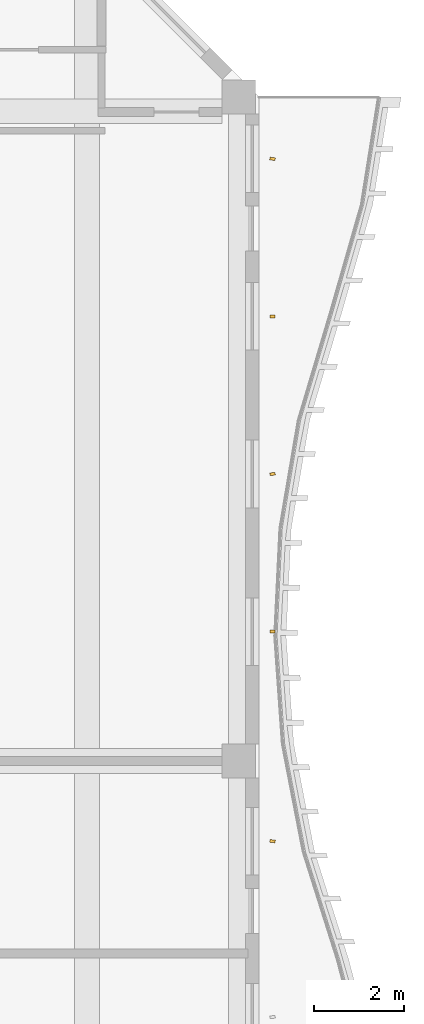
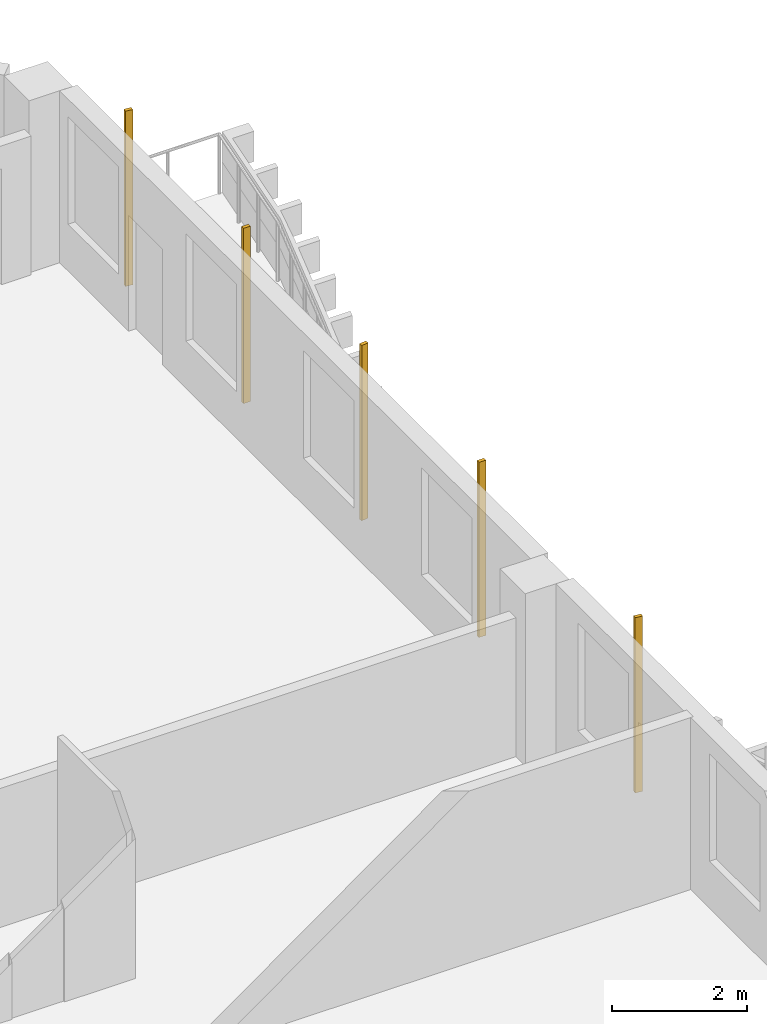
# One storey, part 22 of 22: 5 shading devices.
"""IFC4 building model written with IfcOpenShell, lengths in metres."""

import ifcopenshell
import ifcopenshell.guid

model = None  # the IFC model being written
_history = None  # IfcOwnerHistory: only IFC2X3 demands one
_inside = {}  # id of a spatial element -> (the spatial element, [elements in it])
_under = {}  # id of a project, library or spatial element -> (it, [spatial elements below it])
_declared = {}  # id of a project -> (the project, [libraries it declares])
_typed = {}  # id of a type object -> (the type object, [elements of that type])
_made_of = {}  # id of a material, layer set ... -> (it, [elements and type objects made of it])


def new_model(schema):
    """Start an empty IFC model of exactly this schema.

    Asked for "IFC4X3", IfcOpenShell would pick the latest addendum, in which some entities
    have other attributes; the version numbers below select the first issue.
    IFC2X3 requires an IfcOwnerHistory on every rooted entity: one is made here for all.
    """
    global model, _history
    if schema == "IFC4X3":
        model = ifcopenshell.file(schema_version=(4, 3, 0, 0))
    else:
        model = ifcopenshell.file(schema=schema)
    _inside.clear()
    _under.clear()
    _declared.clear()
    _typed.clear()
    _made_of.clear()
    _history = None
    if model.schema == "IFC2X3":
        org = make("IfcOrganization", Name="unknown")
        user = make(
            "IfcPersonAndOrganization",
            ThePerson=make("IfcPerson", FamilyName="unknown"),
            TheOrganization=org,
        )
        app = make(
            "IfcApplication",
            ApplicationDeveloper=org,
            Version="unknown",
            ApplicationFullName="unknown",
            ApplicationIdentifier="unknown",
        )
        _history = make(
            "IfcOwnerHistory",
            OwningUser=user,
            OwningApplication=app,
            ChangeAction="ADDED",
            CreationDate=0,
        )
    return model


def make(cls, **values):
    """One entity of the class cls with the attributes given. An attribute that is None is left unset."""
    return model.create_entity(
        cls, **{name: value for name, value in values.items() if value is not None}
    )


def rooted(cls, **values):
    """An entity with a GlobalId (a new one), such as an element, a storey or a relation."""
    return make(cls, GlobalId=ifcopenshell.guid.new(), OwnerHistory=_history, **values)


def si_unit(unit_type, name, prefix=None):
    """IfcSIUnit, for example si_unit("LENGTHUNIT", "METRE", prefix="MILLI")."""
    return make("IfcSIUnit", UnitType=unit_type, Prefix=prefix, Name=name)


def assignment(units):
    """IfcUnitAssignment: the units of a project."""
    return None if units is None else make("IfcUnitAssignment", Units=units)


def point(xyz):
    """IfcCartesianPoint."""
    return None if xyz is None else make("IfcCartesianPoint", Coordinates=xyz)


def direction(xyz):
    """IfcDirection."""
    return None if xyz is None else make("IfcDirection", DirectionRatios=xyz)


def frame(location, z_axis=None, x_axis=None):
    """IfcAxis2Placement3D, a coordinate frame: its origin and axes. An axis left out is left unset."""
    return make(
        "IfcAxis2Placement3D",
        Location=point(location),
        Axis=direction(z_axis),
        RefDirection=direction(x_axis),
    )


def frame_2d(location, x_axis=None):
    """IfcAxis2Placement2D, a coordinate frame in the plane: its origin and x axis."""
    return make(
        "IfcAxis2Placement2D", Location=point(location), RefDirection=direction(x_axis)
    )


def origin():
    """The frame at (0, 0, 0) with its axes left unset."""
    return frame((0.0, 0.0, 0.0))


def origin_2d():
    """The frame at (0, 0) in the plane with its x axis left unset."""
    return frame_2d((0.0, 0.0))


def place(relative_to, where):
    """IfcLocalPlacement: puts the frame where relative to a parent placement (None: the world)."""
    return make(
        "IfcLocalPlacement", PlacementRelTo=relative_to, RelativePlacement=where
    )


def context(
    kind, dimensions, precision=None, world=None, true_north=None, identifier=None
):
    """IfcGeometricRepresentationContext, for example the 3D "Model" context."""
    return make(
        "IfcGeometricRepresentationContext",
        ContextIdentifier=identifier,
        ContextType=kind,
        CoordinateSpaceDimension=dimensions,
        Precision=precision,
        WorldCoordinateSystem=world,
        TrueNorth=true_north,
    )


def subcontext(parent, identifier, kind, view, scale=None):
    """IfcGeometricRepresentationSubContext, for example "Body" below "Model"."""
    return make(
        "IfcGeometricRepresentationSubContext",
        ContextIdentifier=identifier,
        ContextType=kind,
        ParentContext=parent,
        TargetScale=scale,
        TargetView=view,
    )


def project(units=None, contexts=None):
    """IfcProject with its units and contexts."""
    return rooted(
        "IfcProject",
        Name="project",
        RepresentationContexts=contexts,
        UnitsInContext=assignment(units),
    )


def spatial(cls, under=None, at=None, **own):
    """A site, building, storey or space (cls), placed at a placement, below another one or the project."""
    s = rooted(cls, ObjectPlacement=at, **own)
    if under is not None:
        _under.setdefault(under.id(), (under, []))[1].append(s)
    return s


def profile(cls, at=None, kind="AREA", **sizes):
    """A parametric profile (cls). Its sizes go by their IFC names, for example OverallWidth=200.0."""
    return make(cls, ProfileType=kind, Position=at, **sizes)


def rectangle(**sizes):
    """IfcRectangleProfileDef."""
    return profile("IfcRectangleProfileDef", **sizes)


def extrude(swept, where, along, depth):
    """IfcExtrudedAreaSolid: the profile swept, set in the frame where, extruded along a direction by depth."""
    return make(
        "IfcExtrudedAreaSolid",
        SweptArea=swept,
        Position=where,
        ExtrudedDirection=direction(along),
        Depth=depth,
    )


def shape(context_of_items, identifier, shape_type, items):
    """IfcShapeRepresentation: the items that make up one representation, for example the "Body"."""
    return make(
        "IfcShapeRepresentation",
        ContextOfItems=context_of_items,
        RepresentationIdentifier=identifier,
        RepresentationType=shape_type,
        Items=items,
    )


def source(mapping_origin, context_of_items, identifier, shape_type, items):
    """IfcRepresentationMap: a shape defined once, which mapped items show again and again."""
    return make(
        "IfcRepresentationMap",
        MappingOrigin=mapping_origin,
        MappedRepresentation=shape(context_of_items, identifier, shape_type, items),
    )


def transform(
    local_origin,
    x_axis=None,
    y_axis=None,
    z_axis=None,
    scale=None,
    scale2=None,
    scale3=None,
    uniform=True,
):
    """IfcCartesianTransformationOperator3D, or its non-uniform kind. x_axis, y_axis, z_axis: its Axis1, 2, 3."""
    if uniform:
        return make(
            "IfcCartesianTransformationOperator3D",
            Axis1=direction(x_axis),
            Axis2=direction(y_axis),
            LocalOrigin=point(local_origin),
            Scale=scale,
            Axis3=direction(z_axis),
        )
    return make(
        "IfcCartesianTransformationOperator3DnonUniform",
        Axis1=direction(x_axis),
        Axis2=direction(y_axis),
        LocalOrigin=point(local_origin),
        Scale=scale,
        Axis3=direction(z_axis),
        Scale2=scale2,
        Scale3=scale3,
    )


def mapped(mapping_source, mapping_target):
    """IfcMappedItem: shows the shape of a source again, moved by a transform."""
    return make(
        "IfcMappedItem", MappingSource=mapping_source, MappingTarget=mapping_target
    )


def material(Name=None, Category=None):
    """IfcMaterial."""
    return make("IfcMaterial", Name=Name, Category=Category)


def material_profile(
    of_material, cross_section, Name=None, Category=None, Priority=None
):
    """IfcMaterialProfile: a cross section and its material."""
    return make(
        "IfcMaterialProfile",
        Name=Name,
        Material=of_material,
        Profile=cross_section,
        Priority=Priority,
        Category=Category,
    )


def profile_set(profiles, Name=None, composite=None):
    """IfcMaterialProfileSet."""
    return make(
        "IfcMaterialProfileSet",
        Name=Name,
        MaterialProfiles=profiles,
        CompositeProfile=composite,
    )


def made_of(thing, what):
    """Note that an element or type object is made of a material, layer set ...; save() writes the relation."""
    if what is not None:
        _made_of.setdefault(what.id(), (what, []))[1].append(thing)
    return thing


def type_object(cls, material=None, **own):
    """A type object (cls), such as IfcWallType, which elements share."""
    return made_of(rooted(cls, **own), material)


def element(
    cls,
    number,
    at=None,
    inside=None,
    cuts=None,
    type_object=None,
    material=None,
    context=None,
    identifier="Body",
    shape_type=None,
    held_by="IfcProductDefinitionShape",
    body=None,
    shapes=None,
    **own,
):
    """One element of the class cls, such as IfcWall. Its Tag is "e" and its number.

    at: its placement. inside: the storey or other place that contains it. cuts: it is an
    opening in that element (IfcRelVoidsElement). A single representation is given by context,
    identifier, shape_type and body (its items); several are given by shapes. held_by: the class
    of the entity that holds the representations. save() writes the other relations.
    """
    e = rooted(cls, Tag="e%d" % number, ObjectPlacement=at, **own)
    if body is not None:
        shapes = [shape(context, identifier, shape_type, body)]
    if shapes is not None:
        e.Representation = make(held_by, Representations=shapes)
    if inside is not None:
        _inside.setdefault(inside.id(), (inside, []))[1].append(e)
    if cuts is not None:
        rooted(
            "IfcRelVoidsElement", RelatingBuildingElement=cuts, RelatedOpeningElement=e
        )
    if type_object is not None:
        _typed.setdefault(type_object.id(), (type_object, []))[1].append(e)
    return made_of(e, material)


def aggregate(whole, parts):
    """IfcRelAggregates: a whole, such as a stair, and the parts it consists of."""
    return rooted("IfcRelAggregates", RelatingObject=whole, RelatedObjects=parts)


def save(model, path):
    """Write the relations noted so far, then the file.

    IfcRelAggregates (storeys below a building ...), IfcRelContainedInSpatialStructure (elements
    in a storey), IfcRelDefinesByType, IfcRelAssociatesMaterial and IfcRelDeclares: one each for
    every whole, place, type object, material and project.
    """
    for whole, parts in _under.values():
        aggregate(whole, parts)
    for where, things in _inside.values():
        rooted(
            "IfcRelContainedInSpatialStructure",
            RelatedElements=things,
            RelatingStructure=where,
        )
    for kind, things in _typed.values():
        rooted("IfcRelDefinesByType", RelatedObjects=things, RelatingType=kind)
    for what, things in _made_of.values():
        rooted("IfcRelAssociatesMaterial", RelatedObjects=things, RelatingMaterial=what)
    for by, libraries in _declared.values():
        rooted("IfcRelDeclares", RelatingContext=by, RelatedDefinitions=libraries)
    model.write(path)


model = new_model("IFC4")

# Units and contexts
model_context = context("Model", 3, precision=1e-05, world=origin(), true_north=direction((0.0, 1.0)))
body_context = subcontext(model_context, "Body", "Model", "MODEL_VIEW")
ifc_project = project(units=[si_unit("LENGTHUNIT", "METRE"), si_unit("AREAUNIT", "SQUARE_METRE"), si_unit("VOLUMEUNIT", "CUBIC_METRE"), si_unit("PLANEANGLEUNIT", "RADIAN"), si_unit("MASSUNIT", "GRAM", prefix="KILO")], contexts=[model_context])

# Site, building, storey
site_placement = place(None, origin())
site = spatial("IfcSite", under=ifc_project, at=site_placement, CompositionType="ELEMENT")
building_placement = place(site_placement, origin())
building = spatial("IfcBuilding", under=site, at=building_placement, Name="Kilnfold Tower and Market Hall", CompositionType="ELEMENT")
storey_placement = place(building_placement, frame((0.0, 0.0, 206.699951171875)))
storey = spatial("IfcBuildingStorey", under=building, at=storey_placement, Name="L50", CompositionType="ELEMENT", Elevation=206.699951171875)

# Shading devices
ifc_material = material(Name="Terracotta", Category="masonry")
ifc_material_profile = material_profile(ifc_material, rectangle(XDim=0.06005859375, YDim=0.1201171875, at=origin_2d()), Name="BAG 60x120")
ifc_profile_set = profile_set([ifc_material_profile], Name="Terracotta")
shading_device_type = type_object("IfcShadingDeviceType", Name="BAGUETTE", PredefinedType="USERDEFINED", material=ifc_profile_set)
shared_shape = source(origin(), body_context, "Body", "SweptSolid", [
    extrude(rectangle(XDim=0.06005859375, YDim=0.1201171875, at=origin_2d()), origin(), (0.0, 0.0, 1.0), 3.179931640625),
])
for number, where, z_axis, x_axis, name in (
    (1, (31.550048828125, 6.21875, 0.0), (0.0, 0.0, 1.0), (0.121524604415, 0.992588419498, 0.0), "Terracotta baguette L50 E"),
    (2, (31.550048828125, 10.875, 0.0), (0.0, 0.0, 1.0), (-0.001174606316, 0.99999931015, 0.0), "Terracotta baguette L50 E"),
    (3, (31.550048828125, 14.375, 0.0), (0.0, 0.0, 1.0), (-0.139167915927, 0.990268797437, 0.0), "Terracotta baguette L50 E"),
    (4, (31.550048828125, 17.875, 0.0), (0.0, 0.0, 1.0), (0.001174606316, 0.99999931015, 0.0), "Terracotta baguette L50 E"),
    (5, (31.550048828125, 21.375, 0.0), (0.0, 0.0, 1.0), (0.139167915927, 0.990268797437, 0.0), "Terracotta baguette L50 E"),
):
    element("IfcShadingDevice", number, at=place(storey_placement, frame(where, z_axis=z_axis, x_axis=x_axis)), inside=storey, type_object=shading_device_type, Name=name, ObjectType="BAGUETTE", PredefinedType="USERDEFINED", context=body_context, shape_type="MappedRepresentation", body=[
        mapped(shared_shape, transform((0.0, 0.0, 0.0))),
    ])

save(model, "model.ifc")
